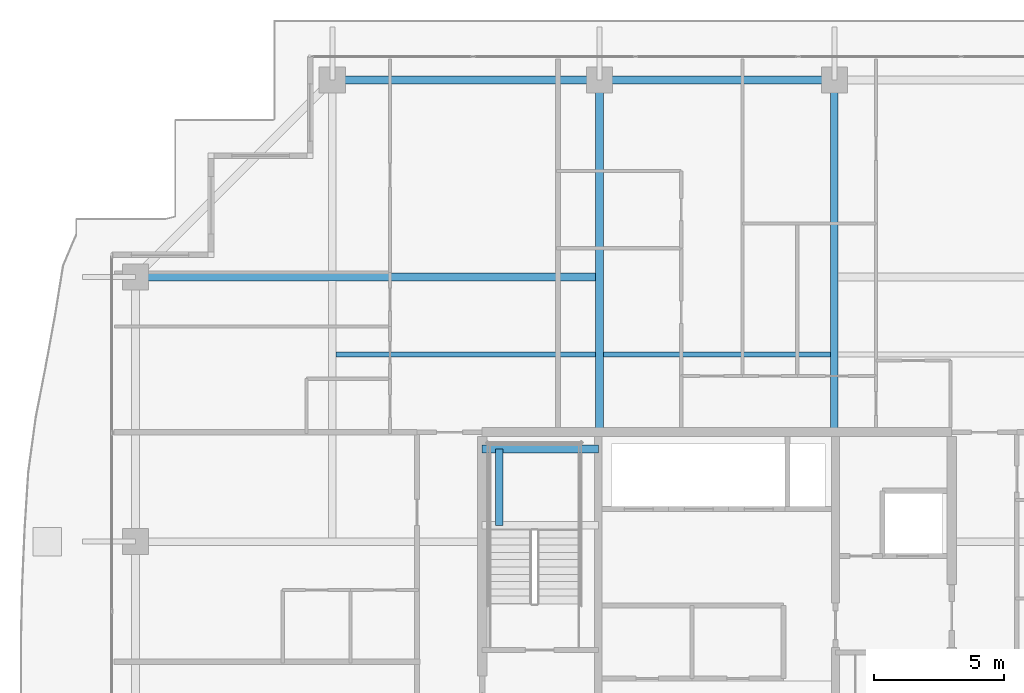
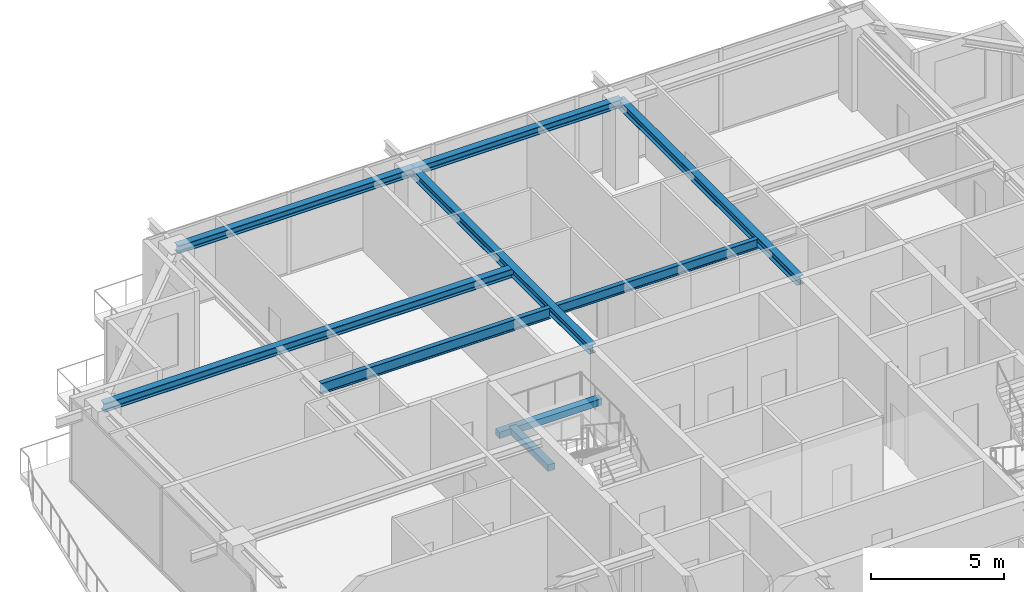
# One storey, part 19 of 37: 9 beams.
"""IFC4 building model written with IfcOpenShell, lengths in metres."""

from ifc_helpers import new_model, si_unit, direction, frame, origin, origin_2d, place, context, subcontext, project, spatial, rectangle, i_section, extrude, source, transform, mapped, material, material_profile, profile_set, type_object, element, save


model = new_model("IFC4")

# Units and contexts
model_context = context("Model", 3, precision=1e-05, world=origin(), true_north=direction((0.0, 1.0)))
body_context = subcontext(model_context, "Body", "Model", "MODEL_VIEW")
ifc_project = project(units=[si_unit("LENGTHUNIT", "METRE"), si_unit("AREAUNIT", "SQUARE_METRE"), si_unit("VOLUMEUNIT", "CUBIC_METRE"), si_unit("PLANEANGLEUNIT", "RADIAN"), si_unit("MASSUNIT", "GRAM", prefix="KILO")], contexts=[model_context])

# Site, building, storey
site_placement = place(None, origin())
site = spatial("IfcSite", under=ifc_project, at=site_placement, CompositionType="ELEMENT")
building_placement = place(site_placement, origin())
building = spatial("IfcBuilding", under=site, at=building_placement, Name="Serunith Strait Residences", CompositionType="ELEMENT")
storey_placement = place(building_placement, frame((0.0, 0.0, 305.60009765625)))
storey = spatial("IfcBuildingStorey", under=building, at=storey_placement, Name="L76", CompositionType="ELEMENT", Elevation=305.60009765625)

# Beams
ifc_material_1 = material(Name="Steel S355J2", Category="steel")
ifc_material_profile_1 = material_profile(ifc_material_1, i_section(OverallWidth=0.18994140625, OverallDepth=0.449951171875, WebThickness=0.009521484375, FlangeThickness=0.0146484375, FilletRadius=0.02099609375, at=origin_2d()), Name="IPE 450")
ifc_profile_set_1 = profile_set([ifc_material_profile_1], Name="Steel S355J2")
beam_type_1 = type_object("IfcBeamType", Name="BM-IPE450", PredefinedType="JOIST", material=ifc_profile_set_1)
shared_shape_1 = source(origin(), body_context, "Body", "SweptSolid", [
    extrude(i_section(OverallWidth=0.18994140625, OverallDepth=0.449951171875, WebThickness=0.009521484375, FlangeThickness=0.0146484375, FilletRadius=0.02099609375, at=origin_2d()), origin(), (0.0, 0.0, 1.0), 8.699951171875),
])
beam_1_placement = place(storey_placement, frame((28.050048828125, 36.574951171875, 3.56201171875), z_axis=(1.0, 0.0, 0.0), x_axis=(0.0, 1.0, 0.0)))
element("IfcBeam", 1, at=beam_1_placement, inside=storey, type_object=beam_type_1, Name="L76 Composite Floor Joist 05", PredefinedType="JOIST", context=body_context, shape_type="MappedRepresentation", body=[
    mapped(shared_shape_1, transform((0.0, 0.0, 0.0), scale=1.0)),
])
ifc_material_profile_2 = material_profile(ifc_material_1, i_section(OverallWidth=0.199951171875, OverallDepth=0.5, WebThickness=0.01025390625, FlangeThickness=0.01611328125, FilletRadius=0.02099609375, at=origin_2d()), Name="IPE 500")
ifc_profile_set_2 = profile_set([ifc_material_profile_2], Name="Steel S355J2")
beam_type_2 = type_object("IfcBeamType", Name="BM-IPE500", PredefinedType="JOIST", material=ifc_profile_set_2)
shared_shape_2 = source(origin(), body_context, "Body", "SweptSolid", [
    extrude(i_section(OverallWidth=0.199951171875, OverallDepth=0.5, WebThickness=0.01025390625, FlangeThickness=0.01611328125, FilletRadius=0.02099609375, at=origin_2d()), origin(), (0.0, 0.0, 1.0), 9.949951171875),
])
beam_2_placement = place(storey_placement, frame((17.800048828125, 36.574951171875, 3.536865234375), z_axis=(1.0, 0.0, 0.0), x_axis=(0.0, 1.0, 0.0)))
element("IfcBeam", 2, at=beam_2_placement, inside=storey, type_object=beam_type_2, Name="L76 Composite Floor Joist 04", PredefinedType="JOIST", context=body_context, shape_type="MappedRepresentation", body=[
    mapped(shared_shape_2, transform((0.0, 0.0, 0.0), scale=1.0)),
])
ifc_material_profile_3 = material_profile(ifc_material_1, i_section(OverallWidth=0.300048828125, OverallDepth=0.39990234375, WebThickness=0.013427734375, FlangeThickness=0.02392578125, FilletRadius=0.027099609375, at=origin_2d()), Name="HEB 400")
ifc_profile_set_3 = profile_set([ifc_material_profile_3], Name="Steel S355J2")
beam_type_3 = type_object("IfcBeamType", Name="BM-HEB400", PredefinedType="BEAM", material=ifc_profile_set_3)
shared_shape_3 = source(origin(), body_context, "Body", "SweptSolid", [
    extrude(i_section(OverallWidth=0.300048828125, OverallDepth=0.39990234375, WebThickness=0.013427734375, FlangeThickness=0.02392578125, FilletRadius=0.027099609375, at=origin_2d()), origin(), (0.0, 0.0, 1.0), 13.5),
])
for number, where, z_axis, x_axis, name in (
    (3, (27.89990234375, 33.60009765625, 3.5869140625), (0.0, 1.0, 0.0), (-1.0, 0.0, 0.0), "L76 Primary Floor Girder TC-N2"),
    (4, (36.89990234375, 33.60009765625, 3.5869140625), (0.0, 1.0, 0.0), (-1.0, 0.0, 0.0), "L76 Primary Floor Girder TC-N3"),
):
    element("IfcBeam", number, at=place(storey_placement, frame(where, z_axis=z_axis, x_axis=x_axis)), inside=storey, type_object=beam_type_3, Name=name, PredefinedType="BEAM", context=body_context, shape_type="MappedRepresentation", body=[
        mapped(shared_shape_3, transform((0.0, 0.0, 0.0), scale=1.0)),
    ])
shared_shape_4 = source(origin(), body_context, "Body", "SweptSolid", [
    extrude(i_section(OverallWidth=0.300048828125, OverallDepth=0.39990234375, WebThickness=0.013427734375, FlangeThickness=0.02392578125, FilletRadius=0.027099609375, at=origin_2d()), origin(), (0.0, 0.0, 1.0), 17.7998046875),
])
beam_3_placement = place(storey_placement, frame((27.89990234375, 39.550048828125, 3.5869140625), z_axis=(-1.0, 0.0, 0.0), x_axis=(0.0, -1.0, 0.0)))
element("IfcBeam", 5, at=beam_3_placement, inside=storey, type_object=beam_type_3, Name="L76 Orthogonal Corner Girder TC-W4", PredefinedType="BEAM", context=body_context, shape_type="MappedRepresentation", body=[
    mapped(shared_shape_4, transform((0.0, 0.0, 0.0), scale=1.0)),
])
ifc_material_profile_4 = material_profile(ifc_material_1, i_section(OverallWidth=0.300048828125, OverallDepth=0.360107421875, WebThickness=0.012451171875, FlangeThickness=0.0224609375, FilletRadius=0.027099609375, at=origin_2d()), Name="HEB 360")
ifc_profile_set_4 = profile_set([ifc_material_profile_4], Name="Steel S355J2")
beam_type_4 = type_object("IfcBeamType", Name="BM-HEB360", PredefinedType="BEAM", material=ifc_profile_set_4)
shared_shape_5 = source(origin(), body_context, "Body", "SweptSolid", [
    extrude(i_section(OverallWidth=0.300048828125, OverallDepth=0.360107421875, WebThickness=0.012451171875, FlangeThickness=0.0224609375, FilletRadius=0.027099609375, at=origin_2d()), origin(), (0.0, 0.0, 1.0), 10.25),
])
beam_4_placement = place(storey_placement, frame((27.89990234375, 47.10009765625, 3.60693359375), z_axis=(-1.0, 0.0, 0.0), x_axis=(0.0, -1.0, 0.0)))
element("IfcBeam", 6, at=beam_4_placement, inside=storey, type_object=beam_type_4, Name="L76 Perimeter Ring Beam 11", PredefinedType="BEAM", context=body_context, shape_type="MappedRepresentation", body=[
    mapped(shared_shape_5, transform((0.0, 0.0, 0.0), scale=1.0)),
])
shared_shape_6 = source(origin(), body_context, "Body", "SweptSolid", [
    extrude(i_section(OverallWidth=0.300048828125, OverallDepth=0.360107421875, WebThickness=0.012451171875, FlangeThickness=0.0224609375, FilletRadius=0.027099609375, at=origin_2d()), origin(), (0.0, 0.0, 1.0), 9.0),
])
beam_5_placement = place(storey_placement, frame((36.89990234375, 47.10009765625, 3.60693359375), z_axis=(-1.0, 0.0, 0.0), x_axis=(0.0, -1.0, 0.0)))
element("IfcBeam", 7, at=beam_5_placement, inside=storey, type_object=beam_type_4, Name="L76 Perimeter Ring Beam 10", PredefinedType="BEAM", context=body_context, shape_type="MappedRepresentation", body=[
    mapped(shared_shape_6, transform((0.0, 0.0, 0.0), scale=1.0)),
])
ifc_material_2 = material(Name="Concrete C60/75", Category="concrete")
ifc_material_profile_5 = material_profile(ifc_material_2, rectangle(XDim=0.300048828125, YDim=0.300048828125, at=origin_2d()), Name="RC 300x300")
ifc_profile_set_5 = profile_set([ifc_material_profile_5], Name="Concrete C60/75")
beam_type_5 = type_object("IfcBeamType", Name="BM-LAND-300x300", PredefinedType="BEAM", material=ifc_profile_set_5)
shared_shape_7 = source(origin(), body_context, "Body", "SweptSolid", [
    extrude(rectangle(XDim=0.300048828125, YDim=0.300048828125, at=origin_2d()), origin(), (0.0, 0.0, 1.0), 4.4501953125),
])
beam_6_placement = place(storey_placement, frame((23.39990234375, 32.949951171875, 1.6748046875), z_axis=(1.0, 0.0, 0.0), x_axis=(0.0, 1.0, 0.0)))
element("IfcBeam", 8, at=beam_6_placement, inside=storey, type_object=beam_type_5, Name="L76 ST-1 Landing Support Beam 2", PredefinedType="BEAM", context=body_context, shape_type="MappedRepresentation", body=[
    mapped(shared_shape_7, transform((0.0, 0.0, 0.0), scale=1.0)),
])
shared_shape_8 = source(origin(), body_context, "Body", "SweptSolid", [
    extrude(rectangle(XDim=0.300048828125, YDim=0.300048828125, at=origin_2d()), origin(), (0.0, 0.0, 1.0), 2.919921875),
])
beam_7_placement = place(storey_placement, frame((24.050048828125, 30.030029296875, 1.6748046875), z_axis=(0.0, 1.0, 0.0), x_axis=(-1.0, 0.0, 0.0)))
element("IfcBeam", 9, at=beam_7_placement, inside=storey, type_object=beam_type_5, Name="L76 ST-1 Landing Transverse Tie Beam", PredefinedType="BEAM", context=body_context, shape_type="MappedRepresentation", body=[
    mapped(shared_shape_8, transform((0.0, 0.0, 0.0), scale=1.0)),
])

save(model, "model.ifc")
